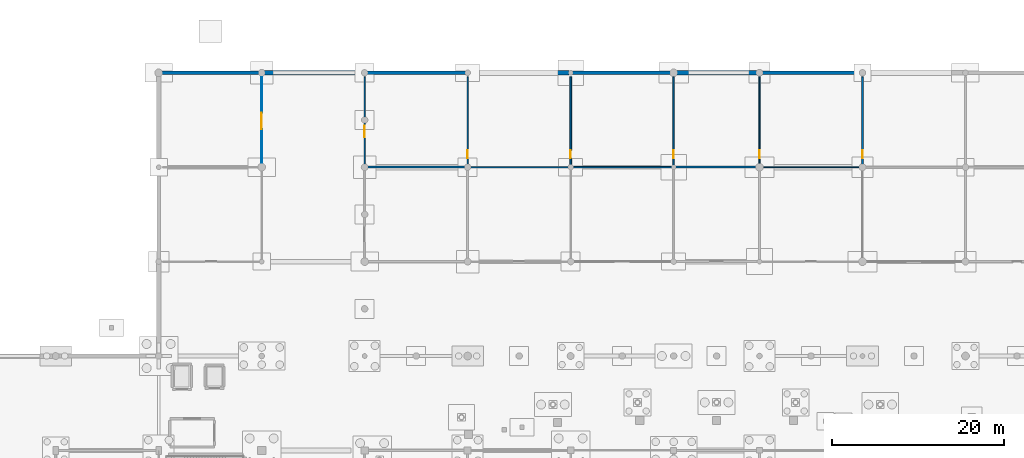
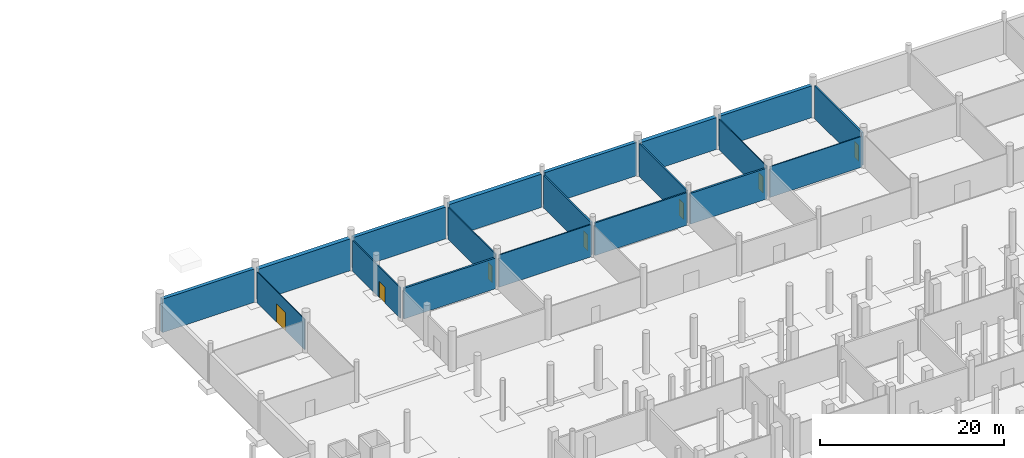
# One storey, part 42 of 60: 19 walls, 7 doors, 7 openings.
"""IFC4 building model written with IfcOpenShell, lengths in metres."""

import ifcopenshell
import ifcopenshell.guid

model = None  # the IFC model being written
_history = None  # IfcOwnerHistory: only IFC2X3 demands one
_inside = {}  # id of a spatial element -> (the spatial element, [elements in it])
_under = {}  # id of a project, library or spatial element -> (it, [spatial elements below it])
_declared = {}  # id of a project -> (the project, [libraries it declares])
_typed = {}  # id of a type object -> (the type object, [elements of that type])
_made_of = {}  # id of a material, layer set ... -> (it, [elements and type objects made of it])


def new_model(schema):
    """Start an empty IFC model of exactly this schema.

    Asked for "IFC4X3", IfcOpenShell would pick the latest addendum, in which some entities
    have other attributes; the version numbers below select the first issue.
    IFC2X3 requires an IfcOwnerHistory on every rooted entity: one is made here for all.
    """
    global model, _history
    if schema == "IFC4X3":
        model = ifcopenshell.file(schema_version=(4, 3, 0, 0))
    else:
        model = ifcopenshell.file(schema=schema)
    _inside.clear()
    _under.clear()
    _declared.clear()
    _typed.clear()
    _made_of.clear()
    _history = None
    if model.schema == "IFC2X3":
        org = make("IfcOrganization", Name="unknown")
        user = make(
            "IfcPersonAndOrganization",
            ThePerson=make("IfcPerson", FamilyName="unknown"),
            TheOrganization=org,
        )
        app = make(
            "IfcApplication",
            ApplicationDeveloper=org,
            Version="unknown",
            ApplicationFullName="unknown",
            ApplicationIdentifier="unknown",
        )
        _history = make(
            "IfcOwnerHistory",
            OwningUser=user,
            OwningApplication=app,
            ChangeAction="ADDED",
            CreationDate=0,
        )
    return model


def make(cls, **values):
    """One entity of the class cls with the attributes given. An attribute that is None is left unset."""
    return model.create_entity(
        cls, **{name: value for name, value in values.items() if value is not None}
    )


def rooted(cls, **values):
    """An entity with a GlobalId (a new one), such as an element, a storey or a relation."""
    return make(cls, GlobalId=ifcopenshell.guid.new(), OwnerHistory=_history, **values)


def si_unit(unit_type, name, prefix=None):
    """IfcSIUnit, for example si_unit("LENGTHUNIT", "METRE", prefix="MILLI")."""
    return make("IfcSIUnit", UnitType=unit_type, Prefix=prefix, Name=name)


def assignment(units):
    """IfcUnitAssignment: the units of a project."""
    return None if units is None else make("IfcUnitAssignment", Units=units)


def point(xyz):
    """IfcCartesianPoint."""
    return None if xyz is None else make("IfcCartesianPoint", Coordinates=xyz)


def direction(xyz):
    """IfcDirection."""
    return None if xyz is None else make("IfcDirection", DirectionRatios=xyz)


def frame(location, z_axis=None, x_axis=None):
    """IfcAxis2Placement3D, a coordinate frame: its origin and axes. An axis left out is left unset."""
    return make(
        "IfcAxis2Placement3D",
        Location=point(location),
        Axis=direction(z_axis),
        RefDirection=direction(x_axis),
    )


def frame_2d(location, x_axis=None):
    """IfcAxis2Placement2D, a coordinate frame in the plane: its origin and x axis."""
    return make(
        "IfcAxis2Placement2D", Location=point(location), RefDirection=direction(x_axis)
    )


def origin():
    """The frame at (0, 0, 0) with its axes left unset."""
    return frame((0.0, 0.0, 0.0))


def place(relative_to, where):
    """IfcLocalPlacement: puts the frame where relative to a parent placement (None: the world)."""
    return make(
        "IfcLocalPlacement", PlacementRelTo=relative_to, RelativePlacement=where
    )


def context(
    kind, dimensions, precision=None, world=None, true_north=None, identifier=None
):
    """IfcGeometricRepresentationContext, for example the 3D "Model" context."""
    return make(
        "IfcGeometricRepresentationContext",
        ContextIdentifier=identifier,
        ContextType=kind,
        CoordinateSpaceDimension=dimensions,
        Precision=precision,
        WorldCoordinateSystem=world,
        TrueNorth=true_north,
    )


def subcontext(parent, identifier, kind, view, scale=None):
    """IfcGeometricRepresentationSubContext, for example "Body" below "Model"."""
    return make(
        "IfcGeometricRepresentationSubContext",
        ContextIdentifier=identifier,
        ContextType=kind,
        ParentContext=parent,
        TargetScale=scale,
        TargetView=view,
    )


def project(units=None, contexts=None):
    """IfcProject with its units and contexts."""
    return rooted(
        "IfcProject",
        Name="project",
        RepresentationContexts=contexts,
        UnitsInContext=assignment(units),
    )


def spatial(cls, under=None, at=None, **own):
    """A site, building, storey or space (cls), placed at a placement, below another one or the project."""
    s = rooted(cls, ObjectPlacement=at, **own)
    if under is not None:
        _under.setdefault(under.id(), (under, []))[1].append(s)
    return s


def profile(cls, at=None, kind="AREA", **sizes):
    """A parametric profile (cls). Its sizes go by their IFC names, for example OverallWidth=200.0."""
    return make(cls, ProfileType=kind, Position=at, **sizes)


def rectangle(**sizes):
    """IfcRectangleProfileDef."""
    return profile("IfcRectangleProfileDef", **sizes)


def extrude(swept, where, along, depth):
    """IfcExtrudedAreaSolid: the profile swept, set in the frame where, extruded along a direction by depth."""
    return make(
        "IfcExtrudedAreaSolid",
        SweptArea=swept,
        Position=where,
        ExtrudedDirection=direction(along),
        Depth=depth,
    )


def shape(context_of_items, identifier, shape_type, items):
    """IfcShapeRepresentation: the items that make up one representation, for example the "Body"."""
    return make(
        "IfcShapeRepresentation",
        ContextOfItems=context_of_items,
        RepresentationIdentifier=identifier,
        RepresentationType=shape_type,
        Items=items,
    )


def material(Name=None, Category=None):
    """IfcMaterial."""
    return make("IfcMaterial", Name=Name, Category=Category)


def layer(
    of_material, thickness, ventilated=None, Name=None, Category=None, Priority=None
):
    """IfcMaterialLayer: one layer of a wall or slab, of a material (None: an air gap)."""
    return make(
        "IfcMaterialLayer",
        Material=of_material,
        LayerThickness=thickness,
        IsVentilated=ventilated,
        Name=Name,
        Category=Category,
        Priority=Priority,
    )


def layer_set(layers, Name=None):
    """IfcMaterialLayerSet."""
    return make("IfcMaterialLayerSet", MaterialLayers=layers, LayerSetName=Name)


def made_of(thing, what):
    """Note that an element or type object is made of a material, layer set ...; save() writes the relation."""
    if what is not None:
        _made_of.setdefault(what.id(), (what, []))[1].append(thing)
    return thing


def type_object(cls, material=None, **own):
    """A type object (cls), such as IfcWallType, which elements share."""
    return made_of(rooted(cls, **own), material)


def element(
    cls,
    number,
    at=None,
    inside=None,
    cuts=None,
    type_object=None,
    material=None,
    context=None,
    identifier="Body",
    shape_type=None,
    held_by="IfcProductDefinitionShape",
    body=None,
    shapes=None,
    **own,
):
    """One element of the class cls, such as IfcWall. Its Tag is "e" and its number.

    at: its placement. inside: the storey or other place that contains it. cuts: it is an
    opening in that element (IfcRelVoidsElement). A single representation is given by context,
    identifier, shape_type and body (its items); several are given by shapes. held_by: the class
    of the entity that holds the representations. save() writes the other relations.
    """
    e = rooted(cls, Tag="e%d" % number, ObjectPlacement=at, **own)
    if body is not None:
        shapes = [shape(context, identifier, shape_type, body)]
    if shapes is not None:
        e.Representation = make(held_by, Representations=shapes)
    if inside is not None:
        _inside.setdefault(inside.id(), (inside, []))[1].append(e)
    if cuts is not None:
        rooted(
            "IfcRelVoidsElement", RelatingBuildingElement=cuts, RelatedOpeningElement=e
        )
    if type_object is not None:
        _typed.setdefault(type_object.id(), (type_object, []))[1].append(e)
    return made_of(e, material)


def fill(opening, filler):
    """IfcRelFillsElement: the door or window that sits in an opening."""
    return rooted(
        "IfcRelFillsElement",
        RelatingOpeningElement=opening,
        RelatedBuildingElement=filler,
    )


def aggregate(whole, parts):
    """IfcRelAggregates: a whole, such as a stair, and the parts it consists of."""
    return rooted("IfcRelAggregates", RelatingObject=whole, RelatedObjects=parts)


def save(model, path):
    """Write the relations noted so far, then the file.

    IfcRelAggregates (storeys below a building ...), IfcRelContainedInSpatialStructure (elements
    in a storey), IfcRelDefinesByType, IfcRelAssociatesMaterial and IfcRelDeclares: one each for
    every whole, place, type object, material and project.
    """
    for whole, parts in _under.values():
        aggregate(whole, parts)
    for where, things in _inside.values():
        rooted(
            "IfcRelContainedInSpatialStructure",
            RelatedElements=things,
            RelatingStructure=where,
        )
    for kind, things in _typed.values():
        rooted("IfcRelDefinesByType", RelatedObjects=things, RelatingType=kind)
    for what, things in _made_of.values():
        rooted("IfcRelAssociatesMaterial", RelatedObjects=things, RelatingMaterial=what)
    for by, libraries in _declared.values():
        rooted("IfcRelDeclares", RelatingContext=by, RelatedDefinitions=libraries)
    model.write(path)


model = new_model("IFC4")

# Units and contexts
model_context = context("Model", 3, precision=1e-05, world=origin(), true_north=direction((0.0, 1.0)))
body_context = subcontext(model_context, "Body", "Model", "MODEL_VIEW")
ifc_project = project(units=[si_unit("LENGTHUNIT", "METRE"), si_unit("AREAUNIT", "SQUARE_METRE"), si_unit("VOLUMEUNIT", "CUBIC_METRE"), si_unit("PLANEANGLEUNIT", "RADIAN"), si_unit("MASSUNIT", "GRAM", prefix="KILO")], contexts=[model_context])

# Site, building, storey
site_placement = place(None, origin())
site = spatial("IfcSite", under=ifc_project, at=site_placement, CompositionType="ELEMENT")
building_placement = place(site_placement, origin())
building = spatial("IfcBuilding", under=site, at=building_placement, Name="Luwafu Chhajja Arena", CompositionType="ELEMENT")
storey_placement = place(building_placement, frame((0.0, 0.0, -5.39990234375)))
storey = spatial("IfcBuildingStorey", under=building, at=storey_placement, Name="B1", CompositionType="ELEMENT", Elevation=-5.39990234375)

# Wall, opening, door
ifc_material_1 = material(Name="Acoustic gypsum and mineral wool partition")
ifc_layer_1 = layer(ifc_material_1, 0.199951171875, Name="Acoustic gypsum and mineral wool partition")
ifc_layer_set_1 = layer_set([ifc_layer_1], Name="Acoustic gypsum and mineral wool partition")
wall_type_1 = type_object("IfcWallType", Name="Acoustic Broadcast Studio Partition 200", PredefinedType="PARTITIONING", material=ifc_layer_set_1)
wall_1_placement = place(storey_placement, frame((82.0, 121.219970703125, 0.0), z_axis=(0.0, 0.0, 1.0), x_axis=(0.0, 1.0, 0.0)))
wall_1 = element("IfcWall", 1, at=wall_1_placement, inside=storey, type_object=wall_type_1, Name="B1 Internal Partition 0113", PredefinedType="PARTITIONING", context=body_context, shape_type="SweptSolid", body=[
    extrude(rectangle(XDim=10.300048828125, YDim=0.199951171875, at=frame_2d((5.14990234375, 0.0))), origin(), (0.0, 0.0, 1.0), 4.329833984375),
])
opening_1_placement = place(wall_1_placement, frame((0.8173828125, 0.0, 0.0)))
opening_1 = element("IfcOpeningElement", 2, at=opening_1_placement, cuts=wall_1, Name="Opening DR-17", PredefinedType="OPENING", context=body_context, shape_type="SweptSolid", body=[
    extrude(rectangle(XDim=0.93994140625, YDim=2.14990234375, at=frame_2d((0.469970703125, 1.074951171875))), frame((0.0, 0.10986328125, 0.0), z_axis=(0.0, -1.0, 0.0), x_axis=(1.0, 0.0, 0.0)), (0.0, 0.0, 1.0), 0.219970703125),
])
ifc_material_2 = material(Name="Acoustic steel-core timber door", Category="steel")
door_type_1 = type_object("IfcDoorType", Name="DR-17", OperationType="NOTDEFINED", PredefinedType="DOOR", material=ifc_material_2)
door_1_placement = place(opening_1_placement, origin())
door_1 = element("IfcDoor", 3, at=door_1_placement, inside=storey, type_object=door_type_1, Name="B1 Interior Door B1-D076", OperationType="SINGLE_SWING_RIGHT", OverallHeight=2.14990234375, OverallWidth=0.93994140625, PredefinedType="DOOR", context=body_context, shape_type="SweptSolid", body=[
    extrude(rectangle(XDim=0.93994140625, YDim=2.14990234375, at=frame_2d((0.469970703125, 1.074951171875))), frame((0.0, 0.02490234375, 0.0), z_axis=(0.0, -1.0, 0.0), x_axis=(1.0, 0.0, 0.0)), (0.0, 0.0, 1.0), 0.050048828125),
])
fill(opening_1, door_1)

# Walls
ifc_material_3 = material(Name="Concrete blockwork masonry", Category="masonry")
ifc_layer_2 = layer(ifc_material_3, 0.239990234375, Name="Concrete blockwork masonry")
ifc_layer_set_2 = layer_set([ifc_layer_2], Name="Concrete blockwork masonry")
wall_type_2 = type_object("IfcWallType", Name="Compartment Masonry Partition 240", PredefinedType="PARTITIONING", material=ifc_layer_set_2)
wall_2_placement = place(storey_placement, frame((58.219970703125, 121.0, 0.0), z_axis=(0.0, 0.0, 1.0), x_axis=(1.0, 0.0, 0.0)))
element("IfcWall", 4, at=wall_2_placement, inside=storey, type_object=wall_type_2, Name="B1 Internal Partition 0107", PredefinedType="PARTITIONING", context=body_context, shape_type="SweptSolid", body=[
    extrude(rectangle(XDim=11.56005859375, YDim=0.239990234375, at=frame_2d((5.780029296875, 0.0))), origin(), (0.0, 0.0, 1.0), 4.079833984375),
])
wall_3_placement = place(storey_placement, frame((94.219970703125, 121.0, 0.0), z_axis=(0.0, 0.0, 1.0), x_axis=(1.0, 0.0, 0.0)))
element("IfcWall", 5, at=wall_3_placement, inside=storey, type_object=wall_type_2, Name="B1 Internal Partition 0119", PredefinedType="PARTITIONING", context=body_context, shape_type="SweptSolid", body=[
    extrude(rectangle(XDim=9.56005859375, YDim=0.239990234375, at=frame_2d((4.780029296875, 0.0))), origin(), (0.0, 0.0, 1.0), 4.079833984375),
])

# Wall, opening, door
ifc_material_4 = material(Name="Lightweight blockwork partition", Category="masonry")
ifc_layer_3 = layer(ifc_material_4, 0.139892578125, Name="Lightweight blockwork partition")
ifc_layer_set_3 = layer_set([ifc_layer_3], Name="Lightweight blockwork partition")
wall_type_3 = type_object("IfcWallType", Name="Concourse Kiosk Partition 140", PredefinedType="PARTITIONING", material=ifc_layer_set_3)
wall_4_placement = place(storey_placement, frame((58.0, 121.219970703125, 0.0), z_axis=(0.0, 0.0, 1.0), x_axis=(0.0, 1.0, 0.0)))
wall_4 = element("IfcWall", 6, at=wall_4_placement, inside=storey, type_object=wall_type_3, Name="B1 Internal Partition 0039", PredefinedType="PARTITIONING", context=body_context, shape_type="SweptSolid", body=[
    extrude(rectangle(XDim=10.300048828125, YDim=0.139892578125, at=frame_2d((5.14990234375, 0.0))), origin(), (0.0, 0.0, 1.0), 4.079833984375),
])
opening_2_placement = place(wall_4_placement, frame((3.243896484375, 0.0, 0.0)))
opening_2 = element("IfcOpeningElement", 7, at=opening_2_placement, cuts=wall_4, Name="Opening DR-26", PredefinedType="OPENING", context=body_context, shape_type="SweptSolid", body=[
    extrude(rectangle(XDim=1.340087890625, YDim=2.14990234375, at=frame_2d((0.669921875, 1.074951171875))), frame((0.0, 0.079833984375, 0.0), z_axis=(0.0, -1.0, 0.0), x_axis=(1.0, 0.0, 0.0)), (0.0, 0.0, 1.0), 0.159912109375),
])
ifc_material_5 = material(Name="Hardwood service leaf", Category="wood")
door_type_2 = type_object("IfcDoorType", Name="DR-26", OperationType="NOTDEFINED", PredefinedType="DOOR", material=ifc_material_5)
door_2_placement = place(opening_2_placement, origin())
door_2 = element("IfcDoor", 8, at=door_2_placement, inside=storey, type_object=door_type_2, Name="B1 Interior Door B1-D044", OperationType="SINGLE_SWING_RIGHT", OverallHeight=2.14990234375, OverallWidth=1.340087890625, PredefinedType="DOOR", context=body_context, shape_type="SweptSolid", body=[
    extrude(rectangle(XDim=1.340087890625, YDim=2.14990234375, at=frame_2d((0.669921875, 1.074951171875))), frame((0.0, 0.02490234375, 0.0), z_axis=(0.0, -1.0, 0.0), x_axis=(1.0, 0.0, 0.0)), (0.0, 0.0, 1.0), 0.050048828125),
])
fill(opening_2, door_2)

wall_5_placement = place(storey_placement, frame((70.0, 121.219970703125, 0.0), z_axis=(0.0, 0.0, 1.0), x_axis=(0.0, 1.0, 0.0)))
wall_5 = element("IfcWall", 9, at=wall_5_placement, inside=storey, type_object=wall_type_3, Name="B1 Internal Partition 0109", PredefinedType="PARTITIONING", context=body_context, shape_type="SweptSolid", body=[
    extrude(rectangle(XDim=10.300048828125, YDim=0.139892578125, at=frame_2d((5.14990234375, 0.0))), origin(), (0.0, 0.0, 1.0), 4.27978515625),
])
opening_3_placement = place(wall_5_placement, frame((0.8076171875, 0.0, 0.0)))
opening_3 = element("IfcOpeningElement", 10, at=opening_3_placement, cuts=wall_5, Name="Opening DR-22", PredefinedType="OPENING", context=body_context, shape_type="SweptSolid", body=[
    extrude(rectangle(XDim=0.9599609375, YDim=2.14990234375, at=frame_2d((0.47998046875, 1.074951171875))), frame((0.0, 0.079833984375, 0.0), z_axis=(0.0, -1.0, 0.0), x_axis=(1.0, 0.0, 0.0)), (0.0, 0.0, 1.0), 0.159912109375),
])
ifc_material_6 = material(Name="Hardwood flush office door", Category="wood")
door_type_3 = type_object("IfcDoorType", Name="DR-22", OperationType="NOTDEFINED", PredefinedType="DOOR", material=ifc_material_6)
door_3_placement = place(opening_3_placement, origin())
door_3 = element("IfcDoor", 11, at=door_3_placement, inside=storey, type_object=door_type_3, Name="B1 Interior Door B1-D075", OperationType="SINGLE_SWING_LEFT", OverallHeight=2.14990234375, OverallWidth=0.9599609375, PredefinedType="DOOR", context=body_context, shape_type="SweptSolid", body=[
    extrude(rectangle(XDim=0.9599609375, YDim=2.14990234375, at=frame_2d((0.47998046875, 1.074951171875))), frame((0.0, 0.02490234375, 0.0), z_axis=(0.0, -1.0, 0.0), x_axis=(1.0, 0.0, 0.0)), (0.0, 0.0, 1.0), 0.050048828125),
])
fill(opening_3, door_3)

# Wall
wall_6_placement = place(storey_placement, frame((70.219970703125, 121.0, 0.0), z_axis=(0.0, 0.0, 1.0), x_axis=(1.0, 0.0, 0.0)))
element("IfcWall", 12, at=wall_6_placement, inside=storey, type_object=wall_type_3, Name="B1 Internal Partition 0111", PredefinedType="PARTITIONING", context=body_context, shape_type="SweptSolid", body=[
    extrude(rectangle(XDim=11.56005859375, YDim=0.139892578125, at=frame_2d((5.780029296875, 0.0))), origin(), (0.0, 0.0, 1.0), 4.27978515625),
])

# Wall, opening, door
ifc_material_7 = material(Name="Gypsum plasterboard partition")
ifc_layer_4 = layer(ifc_material_7, 0.10009765625, Name="Gypsum plasterboard partition")
ifc_layer_set_4 = layer_set([ifc_layer_4], Name="Gypsum plasterboard partition")
wall_type_4 = type_object("IfcWallType", Name="Drywall Lining Partition 100", PredefinedType="PARTITIONING", material=ifc_layer_set_4)
wall_7_placement = place(storey_placement, frame((46.0, 121.219970703125, 0.0), z_axis=(0.0, 0.0, 1.0), x_axis=(0.0, 1.0, 0.0)))
wall_7 = element("IfcWall", 13, at=wall_7_placement, inside=storey, type_object=wall_type_4, Name="B1 Internal Partition 0034", PredefinedType="PARTITIONING", context=body_context, shape_type="SweptSolid", body=[
    extrude(rectangle(XDim=10.300048828125, YDim=0.10009765625, at=frame_2d((5.14990234375, 0.0))), origin(), (0.0, 0.0, 1.0), 4.079833984375),
])
opening_4_placement = place(wall_7_placement, frame((4.175048828125, 0.0, 0.0)))
opening_4 = element("IfcOpeningElement", 14, at=opening_4_placement, cuts=wall_7, Name="Opening DR-25", PredefinedType="OPENING", context=body_context, shape_type="SweptSolid", body=[
    extrude(rectangle(XDim=1.949951171875, YDim=2.39990234375, at=frame_2d((0.97509765625, 1.199951171875))), frame((0.0, 0.06005859375, 0.0), z_axis=(0.0, -1.0, 0.0), x_axis=(1.0, 0.0, 0.0)), (0.0, 0.0, 1.0), 0.1201171875),
])
ifc_material_8 = material(Name="Anodised bronze glazed double door")
door_type_4 = type_object("IfcDoorType", Name="DR-25", OperationType="DOUBLE_DOOR_SINGLE_SWING", PredefinedType="DOOR", material=ifc_material_8)
door_4_placement = place(opening_4_placement, origin())
door_4 = element("IfcDoor", 15, at=door_4_placement, inside=storey, type_object=door_type_4, Name="B1 Interior Door B1-D039", OperationType="DOUBLE_DOOR_SINGLE_SWING", OverallHeight=2.39990234375, OverallWidth=1.949951171875, PredefinedType="DOOR", context=body_context, shape_type="SweptSolid", body=[
    extrude(rectangle(XDim=1.949951171875, YDim=2.39990234375, at=frame_2d((0.97509765625, 1.199951171875))), frame((0.0, 0.02490234375, 0.0), z_axis=(0.0, -1.0, 0.0), x_axis=(1.0, 0.0, 0.0)), (0.0, 0.0, 1.0), 0.050048828125),
])
fill(opening_4, door_4)

# Wall
ifc_layer_5 = layer(ifc_material_3, 0.179931640625, Name="Concrete blockwork masonry")
ifc_layer_set_5 = layer_set([ifc_layer_5], Name="Concrete blockwork masonry")
wall_type_5 = type_object("IfcWallType", Name="Hospitality Suite Partition 180", PredefinedType="PARTITIONING", material=ifc_layer_set_5)
wall_8_placement = place(storey_placement, frame((82.219970703125, 121.0, 0.0), z_axis=(0.0, 0.0, 1.0), x_axis=(1.0, 0.0, 0.0)))
element("IfcWall", 16, at=wall_8_placement, inside=storey, type_object=wall_type_5, Name="B1 Internal Partition 0115", PredefinedType="PARTITIONING", context=body_context, shape_type="SweptSolid", body=[
    extrude(rectangle(XDim=11.56005859375, YDim=0.179931640625, at=frame_2d((5.780029296875, 0.0))), origin(), (0.0, 0.0, 1.0), 4.329833984375),
])

# Wall, opening, door
wall_9_placement = place(storey_placement, frame((94.0, 121.219970703125, 0.0), z_axis=(0.0, 0.0, 1.0), x_axis=(0.0, 1.0, 0.0)))
wall_9 = element("IfcWall", 17, at=wall_9_placement, inside=storey, type_object=wall_type_5, Name="B1 Internal Partition 0117", PredefinedType="PARTITIONING", context=body_context, shape_type="SweptSolid", body=[
    extrude(rectangle(XDim=10.300048828125, YDim=0.179931640625, at=frame_2d((5.14990234375, 0.0))), origin(), (0.0, 0.0, 1.0), 4.346435546875),
])
opening_5_placement = place(wall_9_placement, frame((0.8173828125, 0.0, 0.0)))
opening_5 = element("IfcOpeningElement", 18, at=opening_5_placement, cuts=wall_9, Name="Opening DR-17", PredefinedType="OPENING", context=body_context, shape_type="SweptSolid", body=[
    extrude(rectangle(XDim=0.93994140625, YDim=2.14990234375, at=frame_2d((0.469970703125, 1.074951171875))), frame((0.0, 0.099853515625, 0.0), z_axis=(0.0, -1.0, 0.0), x_axis=(1.0, 0.0, 0.0)), (0.0, 0.0, 1.0), 0.199951171875),
])
door_5_placement = place(opening_5_placement, origin())
door_5 = element("IfcDoor", 19, at=door_5_placement, inside=storey, type_object=door_type_1, Name="B1 Interior Door B1-D077", OperationType="SINGLE_SWING_LEFT", OverallHeight=2.14990234375, OverallWidth=0.93994140625, PredefinedType="DOOR", context=body_context, shape_type="SweptSolid", body=[
    extrude(rectangle(XDim=0.93994140625, YDim=2.14990234375, at=frame_2d((0.469970703125, 1.074951171875))), frame((0.0, 0.02490234375, 0.0), z_axis=(0.0, -1.0, 0.0), x_axis=(1.0, 0.0, 0.0)), (0.0, 0.0, 1.0), 0.050048828125),
])
fill(opening_5, door_5)

ifc_material_9 = material(Name="Acoustic metal-stud gypsum board")
ifc_layer_6 = layer(ifc_material_9, 0.1201171875, Name="Acoustic metal-stud gypsum board")
ifc_layer_set_6 = layer_set([ifc_layer_6], Name="Acoustic metal-stud gypsum board")
wall_type_6 = type_object("IfcWallType", Name="Internal Room Partition 120", PredefinedType="PARTITIONING", material=ifc_layer_set_6)
wall_10_placement = place(storey_placement, frame((104.0, 121.219970703125, 0.0), z_axis=(0.0, 0.0, 1.0), x_axis=(0.0, 1.0, 0.0)))
wall_10 = element("IfcWall", 20, at=wall_10_placement, inside=storey, type_object=wall_type_6, Name="B1 Internal Partition 0121", PredefinedType="PARTITIONING", context=body_context, shape_type="SweptSolid", body=[
    extrude(rectangle(XDim=10.300048828125, YDim=0.1201171875, at=frame_2d((5.14990234375, 0.0))), origin(), (0.0, 0.0, 1.0), 4.079833984375),
])
opening_6_placement = place(wall_10_placement, frame((0.8076171875, 0.0, 0.0)))
opening_6 = element("IfcOpeningElement", 21, at=opening_6_placement, cuts=wall_10, Name="Opening DR-22", PredefinedType="OPENING", context=body_context, shape_type="SweptSolid", body=[
    extrude(rectangle(XDim=0.9599609375, YDim=2.14990234375, at=frame_2d((0.47998046875, 1.074951171875))), frame((0.0, 0.070068359375, 0.0), z_axis=(0.0, -1.0, 0.0), x_axis=(1.0, 0.0, 0.0)), (0.0, 0.0, 1.0), 0.14013671875),
])
door_6_placement = place(opening_6_placement, origin())
door_6 = element("IfcDoor", 22, at=door_6_placement, inside=storey, type_object=door_type_3, Name="B1 Interior Door B1-D078", OperationType="SINGLE_SWING_RIGHT", OverallHeight=2.14990234375, OverallWidth=0.9599609375, PredefinedType="DOOR", context=body_context, shape_type="SweptSolid", body=[
    extrude(rectangle(XDim=0.9599609375, YDim=2.14990234375, at=frame_2d((0.47998046875, 1.074951171875))), frame((0.0, 0.02490234375, 0.0), z_axis=(0.0, -1.0, 0.0), x_axis=(1.0, 0.0, 0.0)), (0.0, 0.0, 1.0), 0.050048828125),
])
fill(opening_6, door_6)

# Wall
wall_11_placement = place(storey_placement, frame((104.219970703125, 121.0, 0.0), z_axis=(0.0, 0.0, 1.0), x_axis=(1.0, 0.0, 0.0)))
element("IfcWall", 23, at=wall_11_placement, inside=storey, type_object=wall_type_6, Name="B1 Internal Partition 0123", PredefinedType="PARTITIONING", context=body_context, shape_type="SweptSolid", body=[
    extrude(rectangle(XDim=11.56005859375, YDim=0.1201171875, at=frame_2d((5.780029296875, 0.0))), origin(), (0.0, 0.0, 1.0), 4.079833984375),
])

# Wall, opening, door
ifc_layer_7 = layer(ifc_material_3, 0.219970703125, Name="Concrete blockwork masonry")
ifc_layer_set_7 = layer_set([ifc_layer_7], Name="Concrete blockwork masonry")
wall_type_7 = type_object("IfcWallType", Name="Protected Corridor Partition 220", PredefinedType="PARTITIONING", material=ifc_layer_set_7)
wall_12_placement = place(storey_placement, frame((116.0, 121.219970703125, 0.0), z_axis=(0.0, 0.0, 1.0), x_axis=(0.0, 1.0, 0.0)))
wall_12 = element("IfcWall", 24, at=wall_12_placement, inside=storey, type_object=wall_type_7, Name="B1 Internal Partition 0125", PredefinedType="PARTITIONING", context=body_context, shape_type="SweptSolid", body=[
    extrude(rectangle(XDim=10.300048828125, YDim=0.219970703125, at=frame_2d((5.14990234375, 0.0))), origin(), (0.0, 0.0, 1.0), 4.329833984375),
])
opening_7_placement = place(wall_12_placement, frame((0.8173828125, 0.0, 0.0)))
opening_7 = element("IfcOpeningElement", 25, at=opening_7_placement, cuts=wall_12, Name="Opening DR-17", PredefinedType="OPENING", context=body_context, shape_type="SweptSolid", body=[
    extrude(rectangle(XDim=0.93994140625, YDim=2.14990234375, at=frame_2d((0.469970703125, 1.074951171875))), frame((0.0, 0.119873046875, 0.0), z_axis=(0.0, -1.0, 0.0), x_axis=(1.0, 0.0, 0.0)), (0.0, 0.0, 1.0), 0.239990234375),
])
door_7_placement = place(opening_7_placement, origin())
door_7 = element("IfcDoor", 26, at=door_7_placement, inside=storey, type_object=door_type_1, Name="B1 Interior Door B1-D079", OperationType="SINGLE_SWING_LEFT", OverallHeight=2.14990234375, OverallWidth=0.93994140625, PredefinedType="DOOR", context=body_context, shape_type="SweptSolid", body=[
    extrude(rectangle(XDim=0.93994140625, YDim=2.14990234375, at=frame_2d((0.469970703125, 1.074951171875))), frame((0.0, 0.02490234375, 0.0), z_axis=(0.0, -1.0, 0.0), x_axis=(1.0, 0.0, 0.0)), (0.0, 0.0, 1.0), 0.050048828125),
])
fill(opening_7, door_7)

# Walls
ifc_material_10 = material(Name="Concrete C40/50", Category="concrete")
ifc_layer_8 = layer(ifc_material_10, 0.43994140625, Name="Concrete C40/50")
ifc_layer_set_8 = layer_set([ifc_layer_8], Name="Concrete C40/50")
wall_type_8 = type_object("IfcWallType", Name="RC Basement Retaining Wall 440", PredefinedType="SOLIDWALL", material=ifc_layer_set_8)
wall_13_placement = place(storey_placement, frame((34.219970703125, 132.0, 0.0), z_axis=(0.0, 0.0, 1.0), x_axis=(1.0, 0.0, 0.0)))
element("IfcWall", 27, at=wall_13_placement, inside=storey, type_object=wall_type_8, Name="B1 Exterior Wall WEX-B1-019", PredefinedType="SOLIDWALL", context=body_context, shape_type="SweptSolid", body=[
    extrude(rectangle(XDim=11.56005859375, YDim=0.43994140625, at=frame_2d((5.780029296875, 0.0))), origin(), (0.0, 0.0, 1.0), 4.429931640625),
])
wall_14_placement = place(storey_placement, frame((58.219970703125, 132.0, 0.0), z_axis=(0.0, 0.0, 1.0), x_axis=(1.0, 0.0, 0.0)))
element("IfcWall", 28, at=wall_14_placement, inside=storey, type_object=wall_type_8, Name="B1 Exterior Wall WEX-B1-024", PredefinedType="SOLIDWALL", context=body_context, shape_type="SweptSolid", body=[
    extrude(rectangle(XDim=11.56005859375, YDim=0.43994140625, at=frame_2d((5.780029296875, 0.0))), origin(), (0.0, 0.0, 1.0), 4.22998046875),
])
wall_15_placement = place(storey_placement, frame((82.219970703125, 132.0, 0.0), z_axis=(0.0, 0.0, 1.0), x_axis=(1.0, 0.0, 0.0)))
element("IfcWall", 29, at=wall_15_placement, inside=storey, type_object=wall_type_8, Name="B1 Exterior Wall WEX-B1-026", PredefinedType="SOLIDWALL", context=body_context, shape_type="SweptSolid", body=[
    extrude(rectangle(XDim=11.56005859375, YDim=0.43994140625, at=frame_2d((5.780029296875, 0.0))), origin(), (0.0, 0.0, 1.0), 4.417724609375),
])
wall_16_placement = place(storey_placement, frame((104.219970703125, 132.0, 0.0), z_axis=(0.0, 0.0, 1.0), x_axis=(1.0, 0.0, 0.0)))
element("IfcWall", 30, at=wall_16_placement, inside=storey, type_object=wall_type_8, Name="B1 Exterior Wall WEX-B1-028", PredefinedType="SOLIDWALL", context=body_context, shape_type="SweptSolid", body=[
    extrude(rectangle(XDim=11.56005859375, YDim=0.43994140625, at=frame_2d((5.780029296875, 0.0))), origin(), (0.0, 0.0, 1.0), 4.22998046875),
])
ifc_layer_9 = layer(ifc_material_10, 0.52001953125, Name="Concrete C40/50")
ifc_layer_set_9 = layer_set([ifc_layer_9], Name="Concrete C40/50")
wall_type_9 = type_object("IfcWallType", Name="RC Basement Retaining Wall 520", PredefinedType="SOLIDWALL", material=ifc_layer_set_9)
wall_17_placement = place(storey_placement, frame((46.219970703125, 132.0, 0.0), z_axis=(0.0, 0.0, 1.0), x_axis=(1.0, 0.0, 0.0)))
element("IfcWall", 31, at=wall_17_placement, inside=storey, type_object=wall_type_9, Name="B1 Exterior Wall WEX-B1-023", PredefinedType="SOLIDWALL", context=body_context, shape_type="SweptSolid", body=[
    extrude(rectangle(XDim=11.56005859375, YDim=0.52001953125, at=frame_2d((5.780029296875, 0.0))), origin(), (0.0, 0.0, 1.0), 4.22998046875),
])
wall_18_placement = place(storey_placement, frame((70.219970703125, 132.0, 0.0), z_axis=(0.0, 0.0, 1.0), x_axis=(1.0, 0.0, 0.0)))
element("IfcWall", 32, at=wall_18_placement, inside=storey, type_object=wall_type_9, Name="B1 Exterior Wall WEX-B1-025", PredefinedType="SOLIDWALL", context=body_context, shape_type="SweptSolid", body=[
    extrude(rectangle(XDim=11.56005859375, YDim=0.52001953125, at=frame_2d((5.780029296875, 0.0))), origin(), (0.0, 0.0, 1.0), 4.417724609375),
])
wall_19_placement = place(storey_placement, frame((94.219970703125, 132.0, 0.0), z_axis=(0.0, 0.0, 1.0), x_axis=(1.0, 0.0, 0.0)))
element("IfcWall", 33, at=wall_19_placement, inside=storey, type_object=wall_type_9, Name="B1 Exterior Wall WEX-B1-027", PredefinedType="SOLIDWALL", context=body_context, shape_type="SweptSolid", body=[
    extrude(rectangle(XDim=9.56005859375, YDim=0.52001953125, at=frame_2d((4.780029296875, 0.0))), origin(), (0.0, 0.0, 1.0), 4.22998046875),
])

save(model, "model.ifc")
